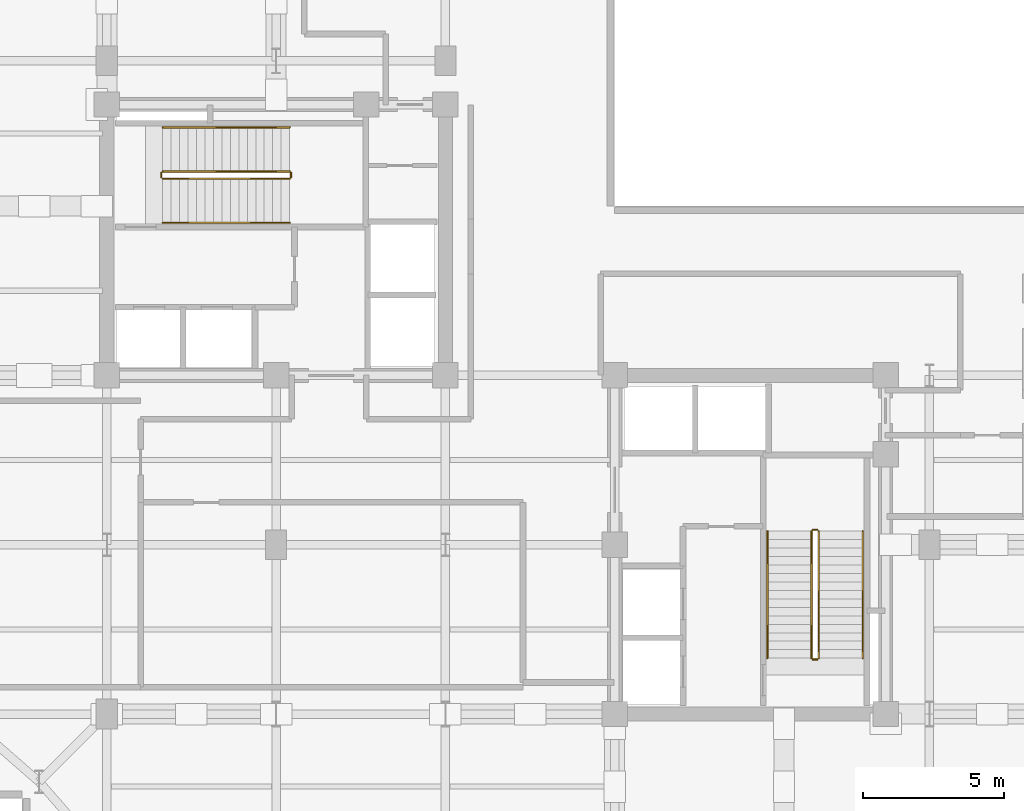
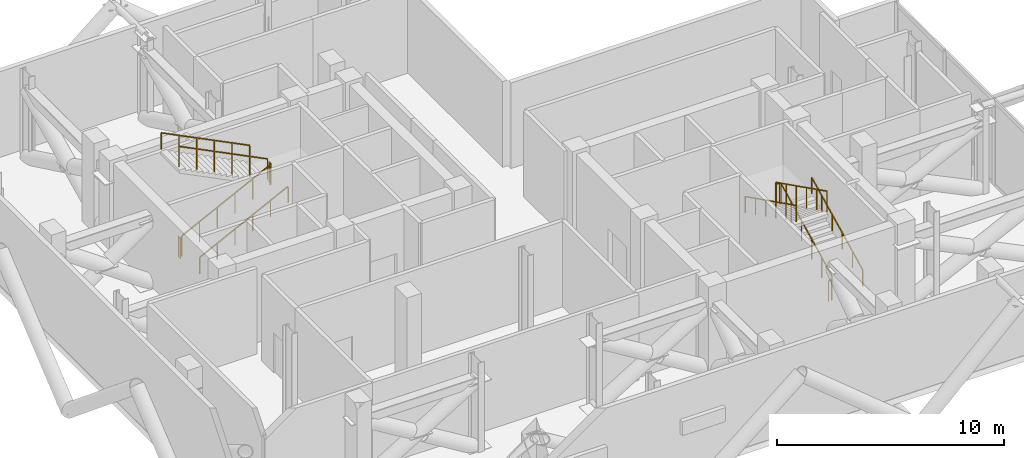
# One storey, part 8 of 8: 12 railings.
"""IFC4 building model written with IfcOpenShell, lengths in metres."""

from ifc_helpers import new_model, si_unit, direction, frame, origin, origin_2d, place, context, subcontext, project, spatial, rectangle, extrude, material, type_object, element, save


model = new_model("IFC4")

# Units and contexts
model_context = context("Model", 3, precision=1e-05, world=origin(), true_north=direction((0.0, 1.0)))
body_context = subcontext(model_context, "Body", "Model", "MODEL_VIEW")
ifc_project = project(units=[si_unit("LENGTHUNIT", "METRE"), si_unit("AREAUNIT", "SQUARE_METRE"), si_unit("VOLUMEUNIT", "CUBIC_METRE"), si_unit("PLANEANGLEUNIT", "RADIAN"), si_unit("MASSUNIT", "GRAM", prefix="KILO"), si_unit("THERMODYNAMICTEMPERATUREUNIT", "KELVIN"), si_unit("POWERUNIT", "WATT")], contexts=[model_context])

# Site, building, storey
site_placement = place(None, origin())
site = spatial("IfcSite", under=ifc_project, at=site_placement, CompositionType="ELEMENT")
building_placement = place(site_placement, origin())
building = spatial("IfcBuilding", under=site, at=building_placement, Name="Svarakhadi Broadcast Tower", CompositionType="ELEMENT")
storey_placement = place(building_placement, frame((0.0, 0.0, 234.89990234375)))
storey = spatial("IfcBuildingStorey", under=building, at=storey_placement, Name="L58", CompositionType="ELEMENT", Elevation=234.89990234375)

# Railings
ifc_material = material(Name="Anodised Bronze Aluminium AA 6063-T6", Category="aluminium")
railing_type_1 = type_object("IfcRailingType", Name="Guard_Stair_GR01", PredefinedType="GUARDRAIL", material=ifc_material)
railing_1_placement = place(storey_placement, frame((7.97998046875, 24.969970703125, 0.150146484375)))
element("IfcRailing", 1, at=railing_1_placement, inside=storey, type_object=railing_type_1, Name="L58 ST-01 stair guard 1", PredefinedType="GUARDRAIL", context=body_context, shape_type="SweptSolid", body=[
    extrude(rectangle(XDim=0.048095703125, YDim=0.048095703125, at=origin_2d()), frame((0.0, 0.0, 1.09619140625), z_axis=(0.894427191, 0.0, 0.4472135955), x_axis=(0.0, 1.0, 0.0)), (0.0, 0.0, 1.0), 5.03125),
    extrude(rectangle(XDim=0.0419921875, YDim=0.0419921875, at=origin_2d()), origin(), (0.0, 0.0, 1.0), 1.072021484375),
    extrude(rectangle(XDim=0.0419921875, YDim=0.0419921875, at=origin_2d()), frame((0.89990234375, 0.0, 0.449951171875)), (0.0, 0.0, 1.0), 1.072021484375),
    extrude(rectangle(XDim=0.0419921875, YDim=0.0419921875, at=origin_2d()), frame((1.800048828125, 0.0, 0.89990234375)), (0.0, 0.0, 1.0), 1.072021484375),
    extrude(rectangle(XDim=0.0419921875, YDim=0.0419921875, at=origin_2d()), frame((2.699951171875, 0.0, 1.35009765625)), (0.0, 0.0, 1.0), 1.072021484375),
    extrude(rectangle(XDim=0.0419921875, YDim=0.0419921875, at=origin_2d()), frame((3.60009765625, 0.0, 1.800048828125)), (0.0, 0.0, 1.0), 1.072021484375),
    extrude(rectangle(XDim=0.0419921875, YDim=0.0419921875, at=origin_2d()), frame((4.5, 0.0, 2.25)), (0.0, 0.0, 1.0), 1.072021484375),
])
railing_2_placement = place(storey_placement, frame((12.530029296875, 25.02001953125, 2.400146484375)))
element("IfcRailing", 2, at=railing_2_placement, inside=storey, type_object=railing_type_1, Name="L58 ST-01 stair guard 2", PredefinedType="GUARDRAIL", context=body_context, shape_type="SweptSolid", body=[
    extrude(rectangle(XDim=0.048095703125, YDim=0.048095703125, at=origin_2d()), frame((0.0, 0.0, 1.09619140625), z_axis=(0.0, 1.0, 0.0), x_axis=(-1.0, 0.0, 0.0)), (0.0, 0.0, 1.0), 0.159912109375),
    extrude(rectangle(XDim=0.0419921875, YDim=0.0419921875, at=origin_2d()), origin(), (0.0, 0.0, 1.0), 1.072021484375),
    extrude(rectangle(XDim=0.0419921875, YDim=0.0419921875, at=origin_2d()), frame((0.0, 0.159912109375, 0.0)), (0.0, 0.0, 1.0), 1.072021484375),
])
railing_3_placement = place(storey_placement, frame((12.47998046875, 25.22998046875, 2.550048828125)))
element("IfcRailing", 3, at=railing_3_placement, inside=storey, type_object=railing_type_1, Name="L58 ST-01 stair guard 3", PredefinedType="GUARDRAIL", context=body_context, shape_type="SweptSolid", body=[
    extrude(rectangle(XDim=0.048095703125, YDim=0.048095703125, at=origin_2d()), frame((0.0, 0.0, 1.09619140625), z_axis=(-0.894427191, 0.0, 0.4472135955), x_axis=(0.0, -1.0, 0.0)), (0.0, 0.0, 1.0), 5.03125),
    extrude(rectangle(XDim=0.0419921875, YDim=0.0419921875, at=origin_2d()), origin(), (0.0, 0.0, 1.0), 1.072021484375),
    extrude(rectangle(XDim=0.0419921875, YDim=0.0419921875, at=origin_2d()), frame((-0.89990234375, 0.0, 0.449951171875)), (0.0, 0.0, 1.0), 1.072021484375),
    extrude(rectangle(XDim=0.0419921875, YDim=0.0419921875, at=origin_2d()), frame((-1.800048828125, 0.0, 0.89990234375)), (0.0, 0.0, 1.0), 1.072021484375),
    extrude(rectangle(XDim=0.0419921875, YDim=0.0419921875, at=origin_2d()), frame((-2.699951171875, 0.0, 1.35009765625)), (0.0, 0.0, 1.0), 1.072021484375),
    extrude(rectangle(XDim=0.0419921875, YDim=0.0419921875, at=origin_2d()), frame((-3.60009765625, 0.0, 1.800048828125)), (0.0, 0.0, 1.0), 1.072021484375),
    extrude(rectangle(XDim=0.0419921875, YDim=0.0419921875, at=origin_2d()), frame((-4.5, 0.0, 2.25)), (0.0, 0.0, 1.0), 1.072021484375),
])
railing_4_placement = place(storey_placement, frame((7.929931640625, 25.02001953125, 0.0)))
element("IfcRailing", 4, at=railing_4_placement, inside=storey, type_object=railing_type_1, Name="L58 ST-01 stair guard 4", PredefinedType="GUARDRAIL", context=body_context, shape_type="SweptSolid", body=[
    extrude(rectangle(XDim=0.048095703125, YDim=0.048095703125, at=origin_2d()), frame((0.0, 0.0, 1.09619140625), z_axis=(0.0, 1.0, 0.0), x_axis=(-1.0, 0.0, 0.0)), (0.0, 0.0, 1.0), 0.159912109375),
    extrude(rectangle(XDim=0.0419921875, YDim=0.0419921875, at=origin_2d()), origin(), (0.0, 0.0, 1.0), 1.072021484375),
    extrude(rectangle(XDim=0.0419921875, YDim=0.0419921875, at=origin_2d()), frame((0.0, 0.159912109375, 0.0)), (0.0, 0.0, 1.0), 1.072021484375),
])
railing_5_placement = place(storey_placement, frame((31.22998046875, 7.97998046875, 0.150146484375)))
element("IfcRailing", 5, at=railing_5_placement, inside=storey, type_object=railing_type_1, Name="L58 ST-02 stair guard 1", PredefinedType="GUARDRAIL", context=body_context, shape_type="SweptSolid", body=[
    extrude(rectangle(XDim=0.048095703125, YDim=0.048095703125, at=origin_2d()), frame((0.0, 0.0, 1.09619140625), z_axis=(0.0, 0.894427191, 0.4472135955), x_axis=(-1.0, 0.0, 0.0)), (0.0, 0.0, 1.0), 5.03125),
    extrude(rectangle(XDim=0.0419921875, YDim=0.0419921875, at=origin_2d()), origin(), (0.0, 0.0, 1.0), 1.072021484375),
    extrude(rectangle(XDim=0.0419921875, YDim=0.0419921875, at=origin_2d()), frame((0.0, 0.89990234375, 0.449951171875)), (0.0, 0.0, 1.0), 1.072021484375),
    extrude(rectangle(XDim=0.0419921875, YDim=0.0419921875, at=origin_2d()), frame((0.0, 1.800048828125, 0.89990234375)), (0.0, 0.0, 1.0), 1.072021484375),
    extrude(rectangle(XDim=0.0419921875, YDim=0.0419921875, at=origin_2d()), frame((0.0, 2.699951171875, 1.35009765625)), (0.0, 0.0, 1.0), 1.072021484375),
    extrude(rectangle(XDim=0.0419921875, YDim=0.0419921875, at=origin_2d()), frame((0.0, 3.60009765625, 1.800048828125)), (0.0, 0.0, 1.0), 1.072021484375),
    extrude(rectangle(XDim=0.0419921875, YDim=0.0419921875, at=origin_2d()), frame((0.0, 4.5, 2.25)), (0.0, 0.0, 1.0), 1.072021484375),
])
railing_6_placement = place(storey_placement, frame((31.179931640625, 12.530029296875, 2.400146484375)))
element("IfcRailing", 6, at=railing_6_placement, inside=storey, type_object=railing_type_1, Name="L58 ST-02 stair guard 2", PredefinedType="GUARDRAIL", context=body_context, shape_type="SweptSolid", body=[
    extrude(rectangle(XDim=0.048095703125, YDim=0.048095703125, at=origin_2d()), frame((0.0, 0.0, 1.09619140625), z_axis=(-1.0, 0.0, 0.0), x_axis=(0.0, -1.0, 0.0)), (0.0, 0.0, 1.0), 0.159912109375),
    extrude(rectangle(XDim=0.0419921875, YDim=0.0419921875, at=origin_2d()), origin(), (0.0, 0.0, 1.0), 1.072021484375),
    extrude(rectangle(XDim=0.0419921875, YDim=0.0419921875, at=origin_2d()), frame((-0.159912109375, 0.0, 0.0)), (0.0, 0.0, 1.0), 1.072021484375),
])
railing_7_placement = place(storey_placement, frame((30.969970703125, 12.47998046875, 2.550048828125)))
element("IfcRailing", 7, at=railing_7_placement, inside=storey, type_object=railing_type_1, Name="L58 ST-02 stair guard 3", PredefinedType="GUARDRAIL", context=body_context, shape_type="SweptSolid", body=[
    extrude(rectangle(XDim=0.048095703125, YDim=0.048095703125, at=origin_2d()), frame((0.0, 0.0, 1.09619140625), z_axis=(0.0, -0.894427191, 0.4472135955), x_axis=(1.0, 0.0, 0.0)), (0.0, 0.0, 1.0), 5.03125),
    extrude(rectangle(XDim=0.0419921875, YDim=0.0419921875, at=origin_2d()), origin(), (0.0, 0.0, 1.0), 1.072021484375),
    extrude(rectangle(XDim=0.0419921875, YDim=0.0419921875, at=origin_2d()), frame((0.0, -0.89990234375, 0.449951171875)), (0.0, 0.0, 1.0), 1.072021484375),
    extrude(rectangle(XDim=0.0419921875, YDim=0.0419921875, at=origin_2d()), frame((0.0, -1.800048828125, 0.89990234375)), (0.0, 0.0, 1.0), 1.072021484375),
    extrude(rectangle(XDim=0.0419921875, YDim=0.0419921875, at=origin_2d()), frame((0.0, -2.699951171875, 1.35009765625)), (0.0, 0.0, 1.0), 1.072021484375),
    extrude(rectangle(XDim=0.0419921875, YDim=0.0419921875, at=origin_2d()), frame((0.0, -3.60009765625, 1.800048828125)), (0.0, 0.0, 1.0), 1.072021484375),
    extrude(rectangle(XDim=0.0419921875, YDim=0.0419921875, at=origin_2d()), frame((0.0, -4.5, 2.25)), (0.0, 0.0, 1.0), 1.072021484375),
])
railing_8_placement = place(storey_placement, frame((31.179931640625, 7.929931640625, 0.0)))
element("IfcRailing", 8, at=railing_8_placement, inside=storey, type_object=railing_type_1, Name="L58 ST-02 stair guard 4", PredefinedType="GUARDRAIL", context=body_context, shape_type="SweptSolid", body=[
    extrude(rectangle(XDim=0.048095703125, YDim=0.048095703125, at=origin_2d()), frame((0.0, 0.0, 1.09619140625), z_axis=(-1.0, 0.0, 0.0), x_axis=(0.0, -1.0, 0.0)), (0.0, 0.0, 1.0), 0.159912109375),
    extrude(rectangle(XDim=0.0419921875, YDim=0.0419921875, at=origin_2d()), origin(), (0.0, 0.0, 1.0), 1.072021484375),
    extrude(rectangle(XDim=0.0419921875, YDim=0.0419921875, at=origin_2d()), frame((-0.159912109375, 0.0, 0.0)), (0.0, 0.0, 1.0), 1.072021484375),
])
railing_type_2 = type_object("IfcRailingType", Name="Handrail_Stair_HR01", PredefinedType="HANDRAIL", material=ifc_material)
railing_9_placement = place(storey_placement, frame((7.97998046875, 23.409912109375, 0.150146484375)))
element("IfcRailing", 9, at=railing_9_placement, inside=storey, type_object=railing_type_2, Name="L58 ST-01 stair handrail 1", PredefinedType="HANDRAIL", context=body_context, shape_type="SweptSolid", body=[
    extrude(rectangle(XDim=0.048095703125, YDim=0.048095703125, at=origin_2d()), frame((0.0, 0.0, 0.8759765625), z_axis=(0.894427191, 0.0, 0.4472135955), x_axis=(0.0, 1.0, 0.0)), (0.0, 0.0, 1.0), 5.03125),
    extrude(rectangle(XDim=0.0419921875, YDim=0.0419921875, at=origin_2d()), origin(), (0.0, 0.0, 1.0), 0.851806640625),
    extrude(rectangle(XDim=0.0419921875, YDim=0.0419921875, at=origin_2d()), frame((0.89990234375, 0.0, 0.449951171875)), (0.0, 0.0, 1.0), 0.851806640625),
    extrude(rectangle(XDim=0.0419921875, YDim=0.0419921875, at=origin_2d()), frame((1.800048828125, 0.0, 0.89990234375)), (0.0, 0.0, 1.0), 0.851806640625),
    extrude(rectangle(XDim=0.0419921875, YDim=0.0419921875, at=origin_2d()), frame((2.699951171875, 0.0, 1.35009765625)), (0.0, 0.0, 1.0), 0.851806640625),
    extrude(rectangle(XDim=0.0419921875, YDim=0.0419921875, at=origin_2d()), frame((3.60009765625, 0.0, 1.800048828125)), (0.0, 0.0, 1.0), 0.851806640625),
    extrude(rectangle(XDim=0.0419921875, YDim=0.0419921875, at=origin_2d()), frame((4.5, 0.0, 2.25)), (0.0, 0.0, 1.0), 0.851806640625),
])
railing_10_placement = place(storey_placement, frame((12.47998046875, 26.7900390625, 2.550048828125)))
element("IfcRailing", 10, at=railing_10_placement, inside=storey, type_object=railing_type_2, Name="L58 ST-01 stair handrail 2", PredefinedType="HANDRAIL", context=body_context, shape_type="SweptSolid", body=[
    extrude(rectangle(XDim=0.048095703125, YDim=0.048095703125, at=origin_2d()), frame((0.0, 0.0, 0.8759765625), z_axis=(-0.894427191, 0.0, 0.4472135955), x_axis=(0.0, -1.0, 0.0)), (0.0, 0.0, 1.0), 5.03125),
    extrude(rectangle(XDim=0.0419921875, YDim=0.0419921875, at=origin_2d()), origin(), (0.0, 0.0, 1.0), 0.851806640625),
    extrude(rectangle(XDim=0.0419921875, YDim=0.0419921875, at=origin_2d()), frame((-0.89990234375, 0.0, 0.449951171875)), (0.0, 0.0, 1.0), 0.851806640625),
    extrude(rectangle(XDim=0.0419921875, YDim=0.0419921875, at=origin_2d()), frame((-1.800048828125, 0.0, 0.89990234375)), (0.0, 0.0, 1.0), 0.851806640625),
    extrude(rectangle(XDim=0.0419921875, YDim=0.0419921875, at=origin_2d()), frame((-2.699951171875, 0.0, 1.35009765625)), (0.0, 0.0, 1.0), 0.851806640625),
    extrude(rectangle(XDim=0.0419921875, YDim=0.0419921875, at=origin_2d()), frame((-3.60009765625, 0.0, 1.800048828125)), (0.0, 0.0, 1.0), 0.851806640625),
    extrude(rectangle(XDim=0.0419921875, YDim=0.0419921875, at=origin_2d()), frame((-4.5, 0.0, 2.25)), (0.0, 0.0, 1.0), 0.851806640625),
])
railing_11_placement = place(storey_placement, frame((32.7900390625, 7.97998046875, 0.150146484375)))
element("IfcRailing", 11, at=railing_11_placement, inside=storey, type_object=railing_type_2, Name="L58 ST-02 stair handrail 1", PredefinedType="HANDRAIL", context=body_context, shape_type="SweptSolid", body=[
    extrude(rectangle(XDim=0.048095703125, YDim=0.048095703125, at=origin_2d()), frame((0.0, 0.0, 0.8759765625), z_axis=(0.0, 0.894427191, 0.4472135955), x_axis=(-1.0, 0.0, 0.0)), (0.0, 0.0, 1.0), 5.03125),
    extrude(rectangle(XDim=0.0419921875, YDim=0.0419921875, at=origin_2d()), origin(), (0.0, 0.0, 1.0), 0.851806640625),
    extrude(rectangle(XDim=0.0419921875, YDim=0.0419921875, at=origin_2d()), frame((0.0, 0.89990234375, 0.449951171875)), (0.0, 0.0, 1.0), 0.851806640625),
    extrude(rectangle(XDim=0.0419921875, YDim=0.0419921875, at=origin_2d()), frame((0.0, 1.800048828125, 0.89990234375)), (0.0, 0.0, 1.0), 0.851806640625),
    extrude(rectangle(XDim=0.0419921875, YDim=0.0419921875, at=origin_2d()), frame((0.0, 2.699951171875, 1.35009765625)), (0.0, 0.0, 1.0), 0.851806640625),
    extrude(rectangle(XDim=0.0419921875, YDim=0.0419921875, at=origin_2d()), frame((0.0, 3.60009765625, 1.800048828125)), (0.0, 0.0, 1.0), 0.851806640625),
    extrude(rectangle(XDim=0.0419921875, YDim=0.0419921875, at=origin_2d()), frame((0.0, 4.5, 2.25)), (0.0, 0.0, 1.0), 0.851806640625),
])
railing_12_placement = place(storey_placement, frame((29.409912109375, 12.47998046875, 2.550048828125)))
element("IfcRailing", 12, at=railing_12_placement, inside=storey, type_object=railing_type_2, Name="L58 ST-02 stair handrail 2", PredefinedType="HANDRAIL", context=body_context, shape_type="SweptSolid", body=[
    extrude(rectangle(XDim=0.048095703125, YDim=0.048095703125, at=origin_2d()), frame((0.0, 0.0, 0.8759765625), z_axis=(0.0, -0.894427191, 0.4472135955), x_axis=(1.0, 0.0, 0.0)), (0.0, 0.0, 1.0), 5.03125),
    extrude(rectangle(XDim=0.0419921875, YDim=0.0419921875, at=origin_2d()), origin(), (0.0, 0.0, 1.0), 0.851806640625),
    extrude(rectangle(XDim=0.0419921875, YDim=0.0419921875, at=origin_2d()), frame((0.0, -0.89990234375, 0.449951171875)), (0.0, 0.0, 1.0), 0.851806640625),
    extrude(rectangle(XDim=0.0419921875, YDim=0.0419921875, at=origin_2d()), frame((0.0, -1.800048828125, 0.89990234375)), (0.0, 0.0, 1.0), 0.851806640625),
    extrude(rectangle(XDim=0.0419921875, YDim=0.0419921875, at=origin_2d()), frame((0.0, -2.699951171875, 1.35009765625)), (0.0, 0.0, 1.0), 0.851806640625),
    extrude(rectangle(XDim=0.0419921875, YDim=0.0419921875, at=origin_2d()), frame((0.0, -3.60009765625, 1.800048828125)), (0.0, 0.0, 1.0), 0.851806640625),
    extrude(rectangle(XDim=0.0419921875, YDim=0.0419921875, at=origin_2d()), frame((0.0, -4.5, 2.25)), (0.0, 0.0, 1.0), 0.851806640625),
])

save(model, "model.ifc")
